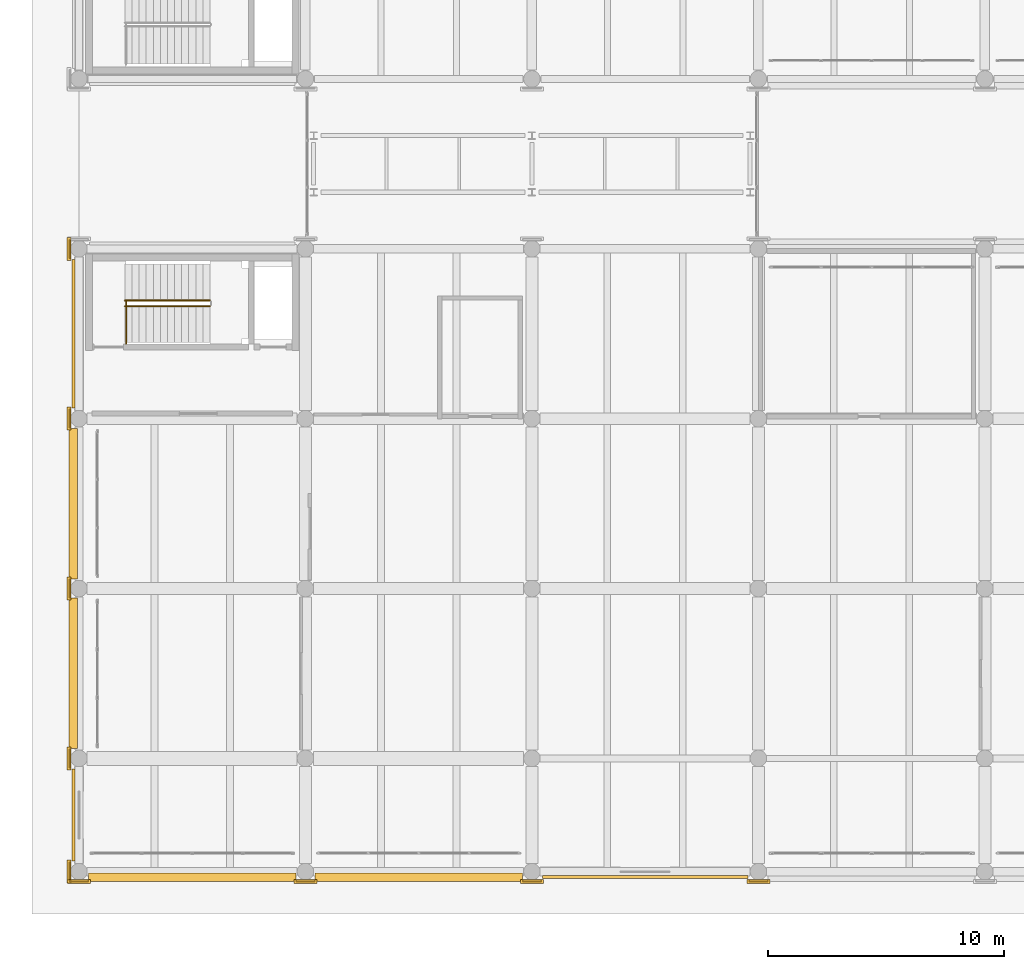
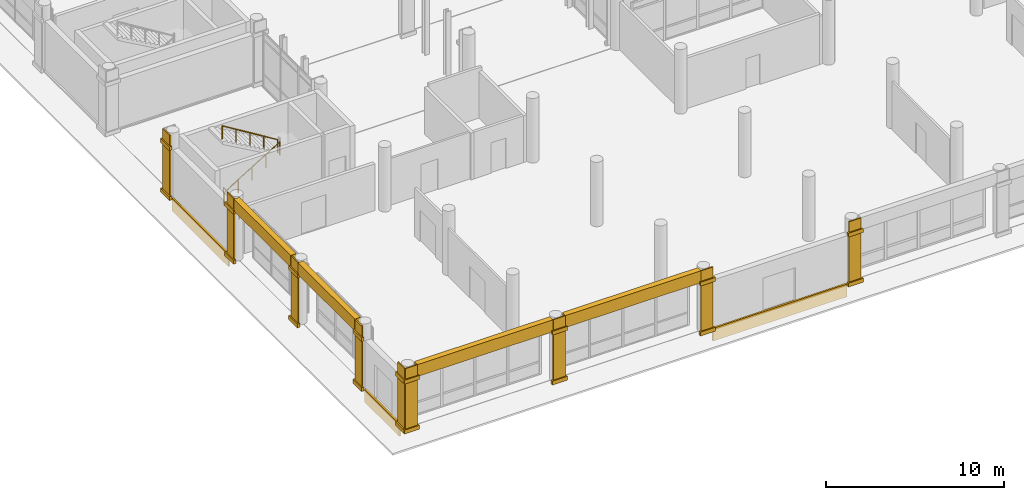
# One storey, part 170 of 196: 34 coverings, 3 railings.
"""IFC4 building model written with IfcOpenShell, lengths in metres."""

from ifc_helpers import new_model, si_unit, direction, frame, origin, origin_2d, place, context, subcontext, project, spatial, rectangle, circle, extrude, material, layer, layer_set, type_object, element, save


model = new_model("IFC4")

# Units and contexts
model_context = context("Model", 3, precision=1e-05, world=origin(), true_north=direction((0.0, 1.0)))
body_context = subcontext(model_context, "Body", "Model", "MODEL_VIEW")
ifc_project = project(units=[si_unit("LENGTHUNIT", "METRE"), si_unit("AREAUNIT", "SQUARE_METRE"), si_unit("VOLUMEUNIT", "CUBIC_METRE"), si_unit("PLANEANGLEUNIT", "RADIAN"), si_unit("MASSUNIT", "GRAM", prefix="KILO")], contexts=[model_context])

# Site, building, storey
site_placement = place(None, origin())
site = spatial("IfcSite", under=ifc_project, at=site_placement, CompositionType="ELEMENT")
building_placement = place(site_placement, origin())
building = spatial("IfcBuilding", under=site, at=building_placement, Name="Asteropetra Specialist Clinic", CompositionType="ELEMENT")
storey_placement = place(building_placement, origin())
storey = spatial("IfcBuildingStorey", under=building, at=storey_placement, Name="L00", CompositionType="ELEMENT", Elevation=0.0)

# Coverings
ifc_material_1 = material(Name="Pentelic marble ashlar", Category="masonry")
ifc_layer = layer(ifc_material_1, 0.159912109375)
ifc_layer_set = layer_set([ifc_layer], Name="Pentelic marble ashlar")
covering_type = type_object("IfcCoveringType", Name="CRN-ENTAB-600", PredefinedType="MOLDING", material=ifc_layer_set)
for number, where, z_axis, x_axis, name in (
    (1, (4.800048828125, -0.239990234375, 3.58984375), (0.0, 0.0, 1.0), (1.0, 0.0, 0.0), "Stoa Classical Entablature SE-0001"),
    (2, (14.39990234375, -0.239990234375, 3.58984375), (0.0, 0.0, 1.0), (1.0, 0.0, 0.0), "Stoa Classical Entablature SE-0002"),
):
    element("IfcCovering", number, at=place(storey_placement, frame(where, z_axis=z_axis, x_axis=x_axis)), inside=storey, type_object=covering_type, Name=name, PredefinedType="MOLDING", context=body_context, shape_type="SweptSolid", body=[
        extrude(rectangle(XDim=8.780029296875, YDim=0.360107421875, at=origin_2d()), origin(), (0.0, 0.0, 1.0), 0.820068359375),
    ])
for number, where, z_axis, x_axis, name in (
    (3, (-0.239990234375, 8.39990234375, 3.58984375), (0.0, 0.0, 1.0), (1.0, 0.0, 0.0), "Stoa Classical Entablature SE-0009"),
    (4, (-0.239990234375, 15.60009765625, 3.58984375), (0.0, 0.0, 1.0), (1.0, 0.0, 0.0), "Stoa Classical Entablature SE-0011"),
):
    element("IfcCovering", number, at=place(storey_placement, frame(where, z_axis=z_axis, x_axis=x_axis)), inside=storey, type_object=covering_type, Name=name, PredefinedType="MOLDING", context=body_context, shape_type="SweptSolid", body=[
        extrude(rectangle(XDim=0.360107421875, YDim=6.3798828125, at=origin_2d()), origin(), (0.0, 0.0, 1.0), 0.820068359375),
    ])
covering_1_placement = place(storey_placement, frame((0.0, -0.382080078125, 0.02001953125), z_axis=(0.0, 0.0, 1.0), x_axis=(1.0, 0.0, 0.0)))
element("IfcCovering", 5, at=covering_1_placement, inside=storey, type_object=covering_type, Name="Neoclassical Pilaster Facing CM-0235", PredefinedType="MOLDING", context=body_context, shape_type="SweptSolid", body=[
    extrude(rectangle(XDim=0.780029296875, YDim=0.080078125, at=origin_2d()), origin(), (0.0, 0.0, 1.0), 4.3798828125),
])
for number, where, z_axis, x_axis, name in (
    (6, (0.0, -0.422119140625, 0.009765625), (0.0, 0.0, 1.0), (1.0, 0.0, 0.0), "Doric Base CC-0236"),
    (7, (0.0, -0.422119140625, 3.43017578125), (0.0, 0.0, 1.0), (1.0, 0.0, 0.0), "Doric Capital CC-0237"),
):
    element("IfcCovering", number, at=place(storey_placement, frame(where, z_axis=z_axis, x_axis=x_axis)), inside=storey, type_object=covering_type, Name=name, PredefinedType="MOLDING", context=body_context, shape_type="SweptSolid", body=[
        extrude(rectangle(XDim=0.97998046875, YDim=0.159912109375, at=origin_2d()), origin(), (0.0, 0.0, 1.0), 0.260009765625),
    ])
covering_2_placement = place(storey_placement, frame((-0.382080078125, 0.0, 0.02001953125), z_axis=(0.0, 0.0, 1.0), x_axis=(1.0, 0.0, 0.0)))
element("IfcCovering", 8, at=covering_2_placement, inside=storey, type_object=covering_type, Name="Neoclassical Pilaster Facing CM-0238", PredefinedType="MOLDING", context=body_context, shape_type="SweptSolid", body=[
    extrude(rectangle(XDim=0.080078125, YDim=0.780029296875, at=origin_2d()), origin(), (0.0, 0.0, 1.0), 4.3798828125),
])
for number, where, z_axis, x_axis, name in (
    (9, (-0.422119140625, 0.0, 0.009765625), (0.0, 0.0, 1.0), (1.0, 0.0, 0.0), "Doric Base CC-0239"),
    (10, (-0.422119140625, 0.0, 3.43017578125), (0.0, 0.0, 1.0), (1.0, 0.0, 0.0), "Doric Capital CC-0240"),
):
    element("IfcCovering", number, at=place(storey_placement, frame(where, z_axis=z_axis, x_axis=x_axis)), inside=storey, type_object=covering_type, Name=name, PredefinedType="MOLDING", context=body_context, shape_type="SweptSolid", body=[
        extrude(rectangle(XDim=0.159912109375, YDim=0.97998046875, at=origin_2d()), origin(), (0.0, 0.0, 1.0), 0.260009765625),
    ])
covering_3_placement = place(storey_placement, frame((-0.382080078125, 4.800048828125, 0.02001953125), z_axis=(0.0, 0.0, 1.0), x_axis=(1.0, 0.0, 0.0)))
element("IfcCovering", 11, at=covering_3_placement, inside=storey, type_object=covering_type, Name="Neoclassical Pilaster Facing CM-0241", PredefinedType="MOLDING", context=body_context, shape_type="SweptSolid", body=[
    extrude(rectangle(XDim=0.080078125, YDim=0.780029296875, at=origin_2d()), origin(), (0.0, 0.0, 1.0), 4.3798828125),
])
for number, where, z_axis, x_axis, name in (
    (12, (-0.422119140625, 4.800048828125, 0.009765625), (0.0, 0.0, 1.0), (1.0, 0.0, 0.0), "Doric Base CC-0242"),
    (13, (-0.422119140625, 4.800048828125, 3.43017578125), (0.0, 0.0, 1.0), (1.0, 0.0, 0.0), "Doric Capital CC-0243"),
):
    element("IfcCovering", number, at=place(storey_placement, frame(where, z_axis=z_axis, x_axis=x_axis)), inside=storey, type_object=covering_type, Name=name, PredefinedType="MOLDING", context=body_context, shape_type="SweptSolid", body=[
        extrude(rectangle(XDim=0.159912109375, YDim=0.97998046875, at=origin_2d()), origin(), (0.0, 0.0, 1.0), 0.260009765625),
    ])
covering_4_placement = place(storey_placement, frame((-0.382080078125, 12.0, 0.02001953125), z_axis=(0.0, 0.0, 1.0), x_axis=(1.0, 0.0, 0.0)))
element("IfcCovering", 14, at=covering_4_placement, inside=storey, type_object=covering_type, Name="Neoclassical Pilaster Facing CM-0244", PredefinedType="MOLDING", context=body_context, shape_type="SweptSolid", body=[
    extrude(rectangle(XDim=0.080078125, YDim=0.780029296875, at=origin_2d()), origin(), (0.0, 0.0, 1.0), 4.3798828125),
])
for number, where, z_axis, x_axis, name in (
    (15, (-0.422119140625, 12.0, 0.009765625), (0.0, 0.0, 1.0), (1.0, 0.0, 0.0), "Doric Base CC-0245"),
    (16, (-0.422119140625, 12.0, 3.43017578125), (0.0, 0.0, 1.0), (1.0, 0.0, 0.0), "Doric Capital CC-0246"),
):
    element("IfcCovering", number, at=place(storey_placement, frame(where, z_axis=z_axis, x_axis=x_axis)), inside=storey, type_object=covering_type, Name=name, PredefinedType="MOLDING", context=body_context, shape_type="SweptSolid", body=[
        extrude(rectangle(XDim=0.159912109375, YDim=0.97998046875, at=origin_2d()), origin(), (0.0, 0.0, 1.0), 0.260009765625),
    ])
covering_5_placement = place(storey_placement, frame((-0.382080078125, 19.199951171875, 0.02001953125), z_axis=(0.0, 0.0, 1.0), x_axis=(1.0, 0.0, 0.0)))
element("IfcCovering", 17, at=covering_5_placement, inside=storey, type_object=covering_type, Name="Neoclassical Pilaster Facing CM-0247", PredefinedType="MOLDING", context=body_context, shape_type="SweptSolid", body=[
    extrude(rectangle(XDim=0.080078125, YDim=0.780029296875, at=origin_2d()), origin(), (0.0, 0.0, 1.0), 4.3798828125),
])
for number, where, z_axis, x_axis, name in (
    (18, (-0.422119140625, 19.199951171875, 0.009765625), (0.0, 0.0, 1.0), (1.0, 0.0, 0.0), "Doric Base CC-0248"),
    (19, (-0.422119140625, 19.199951171875, 3.43017578125), (0.0, 0.0, 1.0), (1.0, 0.0, 0.0), "Doric Capital CC-0249"),
):
    element("IfcCovering", number, at=place(storey_placement, frame(where, z_axis=z_axis, x_axis=x_axis)), inside=storey, type_object=covering_type, Name=name, PredefinedType="MOLDING", context=body_context, shape_type="SweptSolid", body=[
        extrude(rectangle(XDim=0.159912109375, YDim=0.97998046875, at=origin_2d()), origin(), (0.0, 0.0, 1.0), 0.260009765625),
    ])
covering_6_placement = place(storey_placement, frame((-0.382080078125, 26.39990234375, 0.02001953125), z_axis=(0.0, 0.0, 1.0), x_axis=(1.0, 0.0, 0.0)))
element("IfcCovering", 20, at=covering_6_placement, inside=storey, type_object=covering_type, Name="Neoclassical Pilaster Facing CM-0253", PredefinedType="MOLDING", context=body_context, shape_type="SweptSolid", body=[
    extrude(rectangle(XDim=0.080078125, YDim=0.780029296875, at=origin_2d()), origin(), (0.0, 0.0, 1.0), 4.3798828125),
])
for number, where, z_axis, x_axis, name in (
    (21, (-0.422119140625, 26.39990234375, 0.009765625), (0.0, 0.0, 1.0), (1.0, 0.0, 0.0), "Doric Base CC-0254"),
    (22, (-0.422119140625, 26.39990234375, 3.43017578125), (0.0, 0.0, 1.0), (1.0, 0.0, 0.0), "Doric Capital CC-0255"),
):
    element("IfcCovering", number, at=place(storey_placement, frame(where, z_axis=z_axis, x_axis=x_axis)), inside=storey, type_object=covering_type, Name=name, PredefinedType="MOLDING", context=body_context, shape_type="SweptSolid", body=[
        extrude(rectangle(XDim=0.159912109375, YDim=0.97998046875, at=origin_2d()), origin(), (0.0, 0.0, 1.0), 0.260009765625),
    ])
covering_7_placement = place(storey_placement, frame((9.60009765625, -0.382080078125, 0.02001953125), z_axis=(0.0, 0.0, 1.0), x_axis=(1.0, 0.0, 0.0)))
element("IfcCovering", 23, at=covering_7_placement, inside=storey, type_object=covering_type, Name="Neoclassical Pilaster Facing CM-0256", PredefinedType="MOLDING", context=body_context, shape_type="SweptSolid", body=[
    extrude(rectangle(XDim=0.780029296875, YDim=0.080078125, at=origin_2d()), origin(), (0.0, 0.0, 1.0), 4.3798828125),
])
for number, where, z_axis, x_axis, name in (
    (24, (9.60009765625, -0.422119140625, 0.009765625), (0.0, 0.0, 1.0), (1.0, 0.0, 0.0), "Doric Base CC-0257"),
    (25, (9.60009765625, -0.422119140625, 3.43017578125), (0.0, 0.0, 1.0), (1.0, 0.0, 0.0), "Doric Capital CC-0258"),
):
    element("IfcCovering", number, at=place(storey_placement, frame(where, z_axis=z_axis, x_axis=x_axis)), inside=storey, type_object=covering_type, Name=name, PredefinedType="MOLDING", context=body_context, shape_type="SweptSolid", body=[
        extrude(rectangle(XDim=0.97998046875, YDim=0.159912109375, at=origin_2d()), origin(), (0.0, 0.0, 1.0), 0.260009765625),
    ])
covering_8_placement = place(storey_placement, frame((19.199951171875, -0.382080078125, 0.02001953125), z_axis=(0.0, 0.0, 1.0), x_axis=(1.0, 0.0, 0.0)))
element("IfcCovering", 26, at=covering_8_placement, inside=storey, type_object=covering_type, Name="Neoclassical Pilaster Facing CM-0262", PredefinedType="MOLDING", context=body_context, shape_type="SweptSolid", body=[
    extrude(rectangle(XDim=0.780029296875, YDim=0.080078125, at=origin_2d()), origin(), (0.0, 0.0, 1.0), 4.3798828125),
])
for number, where, z_axis, x_axis, name in (
    (27, (19.199951171875, -0.422119140625, 0.009765625), (0.0, 0.0, 1.0), (1.0, 0.0, 0.0), "Doric Base CC-0263"),
    (28, (19.199951171875, -0.422119140625, 3.43017578125), (0.0, 0.0, 1.0), (1.0, 0.0, 0.0), "Doric Capital CC-0264"),
):
    element("IfcCovering", number, at=place(storey_placement, frame(where, z_axis=z_axis, x_axis=x_axis)), inside=storey, type_object=covering_type, Name=name, PredefinedType="MOLDING", context=body_context, shape_type="SweptSolid", body=[
        extrude(rectangle(XDim=0.97998046875, YDim=0.159912109375, at=origin_2d()), origin(), (0.0, 0.0, 1.0), 0.260009765625),
    ])
covering_9_placement = place(storey_placement, frame((28.800048828125, -0.382080078125, 0.02001953125), z_axis=(0.0, 0.0, 1.0), x_axis=(1.0, 0.0, 0.0)))
element("IfcCovering", 29, at=covering_9_placement, inside=storey, type_object=covering_type, Name="Neoclassical Pilaster Facing CM-0268", PredefinedType="MOLDING", context=body_context, shape_type="SweptSolid", body=[
    extrude(rectangle(XDim=0.780029296875, YDim=0.080078125, at=origin_2d()), origin(), (0.0, 0.0, 1.0), 4.3798828125),
])
for number, where, z_axis, x_axis, name in (
    (30, (28.800048828125, -0.422119140625, 0.009765625), (0.0, 0.0, 1.0), (1.0, 0.0, 0.0), "Doric Base CC-0269"),
    (31, (28.800048828125, -0.422119140625, 3.43017578125), (0.0, 0.0, 1.0), (1.0, 0.0, 0.0), "Doric Capital CC-0270"),
):
    element("IfcCovering", number, at=place(storey_placement, frame(where, z_axis=z_axis, x_axis=x_axis)), inside=storey, type_object=covering_type, Name=name, PredefinedType="MOLDING", context=body_context, shape_type="SweptSolid", body=[
        extrude(rectangle(XDim=0.97998046875, YDim=0.159912109375, at=origin_2d()), origin(), (0.0, 0.0, 1.0), 0.260009765625),
    ])
covering_10_placement = place(storey_placement, frame((24.0, -0.22998046875, -0.800048828125), z_axis=(0.0, 0.0, 1.0), x_axis=(1.0, 0.0, 0.0)))
element("IfcCovering", 32, at=covering_10_placement, inside=storey, type_object=covering_type, Name="Chevron Spandrel Band CV-1360", PredefinedType="MOLDING", context=body_context, shape_type="SweptSolid", body=[
    extrude(rectangle(XDim=8.699951171875, YDim=0.1201171875, at=origin_2d()), origin(), (0.0, 0.0, 1.0), 0.8798828125),
])
covering_11_placement = place(storey_placement, frame((-0.22998046875, 2.39990234375, -0.800048828125), z_axis=(0.0, 0.0, 1.0), x_axis=(1.0, 0.0, 0.0)))
element("IfcCovering", 33, at=covering_11_placement, inside=storey, type_object=covering_type, Name="Chevron Spandrel Band CV-1362", PredefinedType="MOLDING", context=body_context, shape_type="SweptSolid", body=[
    extrude(rectangle(XDim=0.1201171875, YDim=3.89990234375, at=origin_2d()), origin(), (0.0, 0.0, 1.0), 0.8798828125),
])
covering_12_placement = place(storey_placement, frame((-0.22998046875, 22.800048828125, -0.800048828125), z_axis=(0.0, 0.0, 1.0), x_axis=(1.0, 0.0, 0.0)))
element("IfcCovering", 34, at=covering_12_placement, inside=storey, type_object=covering_type, Name="Chevron Spandrel Band CV-1363", PredefinedType="MOLDING", context=body_context, shape_type="SweptSolid", body=[
    extrude(rectangle(XDim=0.1201171875, YDim=6.300048828125, at=origin_2d()), origin(), (0.0, 0.0, 1.0), 0.8798828125),
])

# Railings
ifc_material_2 = material(Name="Steel S355 and laminated glass guard", Category="steel")
railing_type_1 = type_object("IfcRailingType", Name="GRD-INT-1120", PredefinedType="GUARDRAIL", material=ifc_material_2)
railing_1_placement = place(storey_placement, frame((2.0, 22.3798828125, 0.0)))
element("IfcRailing", 35, at=railing_1_placement, inside=storey, type_object=railing_type_1, Name="Stair Well Guard ST06-B1", PredefinedType="GUARDRAIL", context=body_context, shape_type="SweptSolid", body=[
    extrude(circle(Radius=0.02392578125, at=origin_2d()), frame((0.0, 0.0, 1.09619140625), z_axis=(0.0, 1.0, 0.0), x_axis=(-1.0, 0.0, 0.0)), (0.0, 0.0, 1.0), 1.780029296875),
    extrude(circle(Radius=0.02099609375, at=origin_2d()), origin(), (0.0, 0.0, 1.0), 1.072021484375),
    extrude(circle(Radius=0.02099609375, at=origin_2d()), frame((0.0, 0.89013671875, 0.0)), (0.0, 0.0, 1.0), 1.072021484375),
    extrude(circle(Radius=0.02099609375, at=origin_2d()), frame((0.0, 1.780029296875, 0.0)), (0.0, 0.0, 1.0), 1.072021484375),
])
ifc_material_3 = material(Name="Brushed stainless steel handrail", Category="steel")
railing_type_2 = type_object("IfcRailingType", Name="HRL-STAIR-920", PredefinedType="HANDRAIL", material=ifc_material_3)
railing_2_placement = place(storey_placement, frame((1.949951171875, 23.969970703125, 0.0)))
element("IfcRailing", 36, at=railing_2_placement, inside=storey, type_object=railing_type_2, Name="Stair Handrail ST06-L00 F1", PredefinedType="HANDRAIL", context=body_context, shape_type="SweptSolid", body=[
    extrude(circle(Radius=0.02392578125, at=origin_2d()), frame((0.0, 0.0, 0.89599609375), z_axis=(0.85223722916, 0.0, 0.523155526811), x_axis=(0.0, 1.0, 0.0)), (0.0, 0.0, 1.0), 4.224365234375),
    extrude(circle(Radius=0.02099609375, at=origin_2d()), origin(), (0.0, 0.0, 1.0), 0.871826171875),
    extrude(circle(Radius=0.02099609375, at=origin_2d()), frame((0.89990234375, 0.0, 0.552490234375)), (0.0, 0.0, 1.0), 0.871826171875),
    extrude(circle(Radius=0.02099609375, at=origin_2d()), frame((1.800048828125, 0.0, 1.10498046875)), (0.0, 0.0, 1.0), 0.871826171875),
    extrude(circle(Radius=0.02099609375, at=origin_2d()), frame((2.7001953125, 0.0, 1.657470703125)), (0.0, 0.0, 1.0), 0.871826171875),
    extrude(circle(Radius=0.02099609375, at=origin_2d()), frame((3.60009765625, 0.0, 2.2099609375)), (0.0, 0.0, 1.0), 0.871826171875),
])
railing_3_placement = place(storey_placement, frame((5.550048828125, 24.2099609375, 2.2099609375)))
element("IfcRailing", 37, at=railing_3_placement, inside=storey, type_object=railing_type_2, Name="Stair Handrail ST06-L00 F2", PredefinedType="HANDRAIL", context=body_context, shape_type="SweptSolid", body=[
    extrude(circle(Radius=0.02392578125, at=origin_2d()), frame((0.0, 0.0, 0.89599609375), z_axis=(-0.85223722916, 0.0, 0.523155526811), x_axis=(0.0, -1.0, 0.0)), (0.0, 0.0, 1.0), 4.224365234375),
    extrude(circle(Radius=0.02099609375, at=origin_2d()), origin(), (0.0, 0.0, 1.0), 0.871826171875),
    extrude(circle(Radius=0.02099609375, at=origin_2d()), frame((-0.89990234375, 0.0, 0.552490234375)), (0.0, 0.0, 1.0), 0.871826171875),
    extrude(circle(Radius=0.02099609375, at=origin_2d()), frame((-1.800048828125, 0.0, 1.10498046875)), (0.0, 0.0, 1.0), 0.871826171875),
    extrude(circle(Radius=0.02099609375, at=origin_2d()), frame((-2.7001953125, 0.0, 1.657470703125)), (0.0, 0.0, 1.0), 0.871826171875),
    extrude(circle(Radius=0.02099609375, at=origin_2d()), frame((-3.60009765625, 0.0, 2.2099609375)), (0.0, 0.0, 1.0), 0.871826171875),
])

save(model, "model.ifc")
